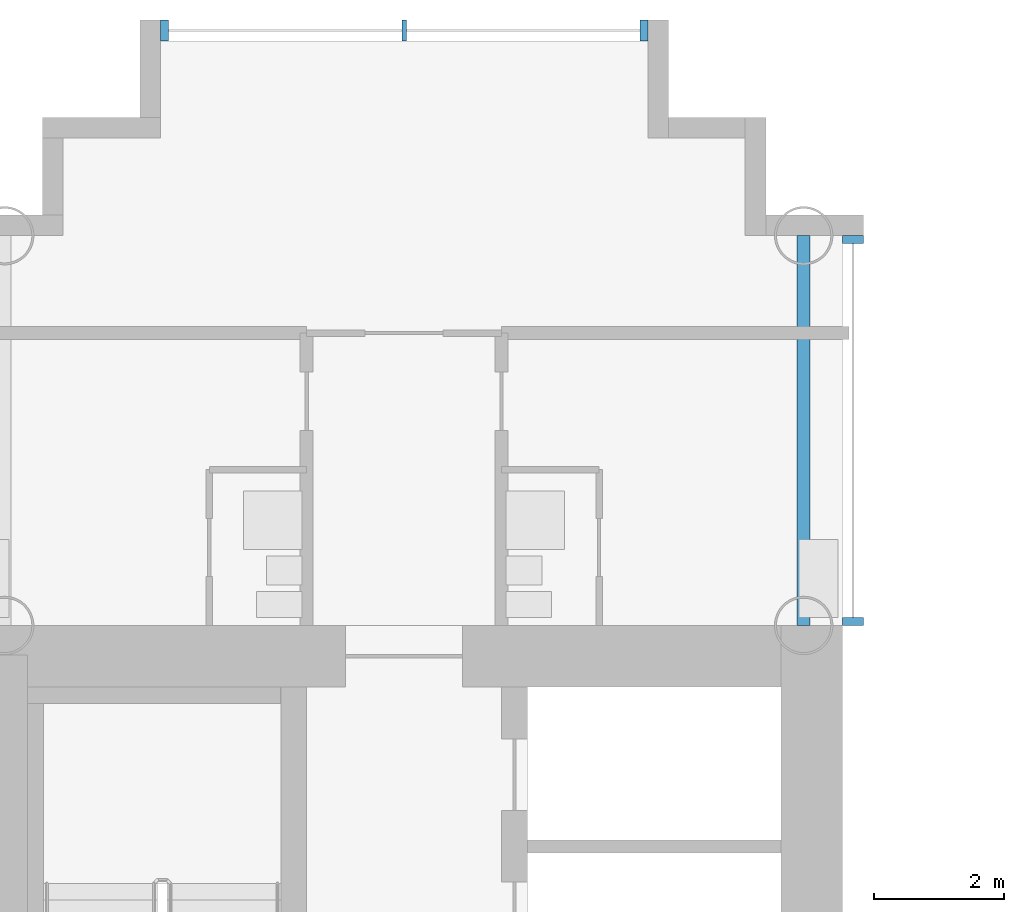
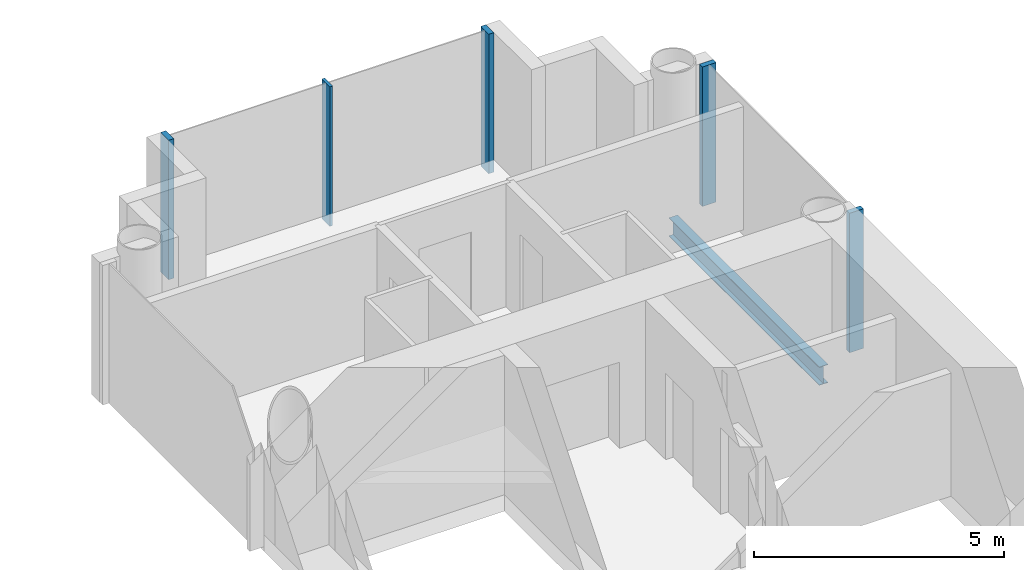
# One storey, part 6 of 21: 5 members, 1 beam, 2 elements without a shape of their own.
"""IFC4 building model written with IfcOpenShell, lengths in metres."""

from ifc_helpers import new_model, si_unit, direction, frame, origin, origin_2d, place, context, subcontext, project, spatial, rectangle, i_section, extrude, material, layer, layer_set, material_profile, profile_set, type_object, element, aggregate, save


model = new_model("IFC4")

# Units and contexts
model_context = context("Model", 3, precision=1e-05, world=origin(), true_north=direction((0.0, 1.0)))
body_context = subcontext(model_context, "Body", "Model", "MODEL_VIEW")
ifc_project = project(units=[si_unit("LENGTHUNIT", "METRE"), si_unit("AREAUNIT", "SQUARE_METRE"), si_unit("VOLUMEUNIT", "CUBIC_METRE"), si_unit("PLANEANGLEUNIT", "RADIAN"), si_unit("MASSUNIT", "GRAM", prefix="KILO")], contexts=[model_context])

# Site, building, storey
site_placement = place(None, origin())
site = spatial("IfcSite", under=ifc_project, at=site_placement, CompositionType="ELEMENT")
building_placement = place(site_placement, origin())
building = spatial("IfcBuilding", under=site, at=building_placement, Name="Ipe Terrace Towers", CompositionType="ELEMENT")
storey_placement = place(building_placement, frame((0.0, 0.0, 117.39990234375)))
storey = spatial("IfcBuildingStorey", under=building, at=storey_placement, Name="L32", CompositionType="ELEMENT", Elevation=117.39990234375)

# Beam
ifc_material_1 = material(Name="Steel S355", Category="steel")
ifc_material_profile_1 = material_profile(ifc_material_1, i_section(OverallWidth=0.199951171875, OverallDepth=0.449951171875, WebThickness=0.009033203125, FlangeThickness=0.013916015625, at=origin_2d()), Name="H-450x200x9x14")
ifc_profile_set_1 = profile_set([ifc_material_profile_1], Name="Steel S355")
beam_type = type_object("IfcBeamType", Name="H08 EDGE BEAM H-450x200x9x14", PredefinedType="BEAM", material=ifc_profile_set_1)
beam_placement = place(storey_placement, frame((42.14990234375, 15.75, -0.625), z_axis=(0.0, 1.0, 0.0), x_axis=(-1.0, 0.0, 0.0)))
element("IfcBeam", 1, at=beam_placement, inside=storey, type_object=beam_type, Name="Edge beam T2-EB-A01-A03", PredefinedType="BEAM", context=body_context, shape_type="SweptSolid", body=[
    extrude(i_section(OverallWidth=0.199951171875, OverallDepth=0.449951171875, WebThickness=0.009033203125, FlangeThickness=0.013916015625, at=origin_2d()), origin(), (0.0, 0.0, 1.0), 6.0),
])

# Curtain wall, members
ifc_material_2 = material(Name="Aluminium alloy 6063-T6", Category="aluminium")
ifc_layer = layer(ifc_material_2, 0.320068359375)
ifc_layer_set = layer_set([ifc_layer], Name="TOWER UNITISED CURTAIN WALL")
curtain_wall_type = type_object("IfcCurtainWallType", Name="TOWER UNITISED CURTAIN WALL", PredefinedType="NOTDEFINED", material=ifc_layer_set)
curtain_wall_1_placement = place(storey_placement, origin())
curtain_wall_1 = element("IfcCurtainWall", 2, at=curtain_wall_1_placement, inside=storey, type_object=curtain_wall_type, Name="T2-CW-L32-16b curtain wall", PredefinedType="NOTDEFINED")
ifc_material_3 = material(Name="Aluminium alloy 6063-T6", Category="aluminium")
ifc_material_profile_2 = material_profile(ifc_material_3, rectangle(XDim=0.320068359375, YDim=0.1201171875, at=origin_2d()), Name="TOWER UNITISED CORNER MULLION 320 x 120")
ifc_profile_set_2 = profile_set([ifc_material_profile_2], Name="Aluminium alloy 6063-T6")
member_type_1 = type_object("IfcMemberType", Name="TOWER UNITISED CORNER MULLION 320 x 120", PredefinedType="MULLION", material=ifc_profile_set_2)
member_1_placement = place(storey_placement, frame((42.909912109375, 15.81103515625, -0.2998046875), z_axis=(0.0, 0.0, 1.0), x_axis=(1.0, 0.0, 0.0)))
member_1 = element("IfcMember", 3, at=member_1_placement, type_object=member_type_1, Name="T2-CW-L32-16b mullion 1", PredefinedType="MULLION", context=body_context, shape_type="SweptSolid", body=[
    extrude(rectangle(XDim=0.320068359375, YDim=0.1201171875, at=origin_2d()), origin(), (0.0, 0.0, 1.0), 3.39990234375),
])
member_2_placement = place(storey_placement, frame((42.909912109375, 21.68994140625, -0.2998046875), z_axis=(0.0, 0.0, 1.0), x_axis=(1.0, 0.0, 0.0)))
member_2 = element("IfcMember", 4, at=member_2_placement, type_object=member_type_1, Name="T2-CW-L32-16b mullion 2", PredefinedType="MULLION", context=body_context, shape_type="SweptSolid", body=[
    extrude(rectangle(XDim=0.320068359375, YDim=0.1201171875, at=origin_2d()), origin(), (0.0, 0.0, 1.0), 3.39990234375),
])
aggregate(curtain_wall_1, [member_1, member_2])

curtain_wall_2_placement = place(storey_placement, origin())
curtain_wall_2 = element("IfcCurtainWall", 5, at=curtain_wall_2_placement, inside=storey, type_object=curtain_wall_type, Name="T2-CW-L32-21a curtain wall", PredefinedType="NOTDEFINED")
member_3_placement = place(storey_placement, frame((39.68994140625, 24.909912109375, -0.2998046875), z_axis=(0.0, 0.0, 1.0), x_axis=(0.0, 1.0, 0.0)))
member_3 = element("IfcMember", 6, at=member_3_placement, type_object=member_type_1, Name="T2-CW-L32-21a mullion 1", PredefinedType="MULLION", context=body_context, shape_type="SweptSolid", body=[
    extrude(rectangle(XDim=0.320068359375, YDim=0.1201171875, at=origin_2d()), origin(), (0.0, 0.0, 1.0), 3.39990234375),
])
member_4_placement = place(storey_placement, frame((32.31005859375, 24.909912109375, -0.2998046875), z_axis=(0.0, 0.0, 1.0), x_axis=(0.0, 1.0, 0.0)))
member_4 = element("IfcMember", 7, at=member_4_placement, type_object=member_type_1, Name="T2-CW-L32-21a mullion 3", PredefinedType="MULLION", context=body_context, shape_type="SweptSolid", body=[
    extrude(rectangle(XDim=0.320068359375, YDim=0.1201171875, at=origin_2d()), origin(), (0.0, 0.0, 1.0), 3.39990234375),
])
ifc_material_4 = material(Name="Aluminium alloy 6063-T6", Category="aluminium")
ifc_material_profile_3 = material_profile(ifc_material_4, rectangle(XDim=0.320068359375, YDim=0.06494140625, at=origin_2d()), Name="TOWER UNITISED MULLION 320 x 65")
ifc_profile_set_3 = profile_set([ifc_material_profile_3], Name="Aluminium alloy 6063-T6")
member_type_2 = type_object("IfcMemberType", Name="TOWER UNITISED MULLION 320 x 65", PredefinedType="MULLION", material=ifc_profile_set_3)
member_5_placement = place(storey_placement, frame((36.0, 24.909912109375, -0.2998046875), z_axis=(0.0, 0.0, 1.0), x_axis=(0.0, 1.0, 0.0)))
member_5 = element("IfcMember", 8, at=member_5_placement, type_object=member_type_2, Name="T2-CW-L32-21a mullion 2", PredefinedType="MULLION", context=body_context, shape_type="SweptSolid", body=[
    extrude(rectangle(XDim=0.320068359375, YDim=0.06494140625, at=origin_2d()), origin(), (0.0, 0.0, 1.0), 3.39990234375),
])
aggregate(curtain_wall_2, [member_3, member_5, member_4])

save(model, "model.ifc")
